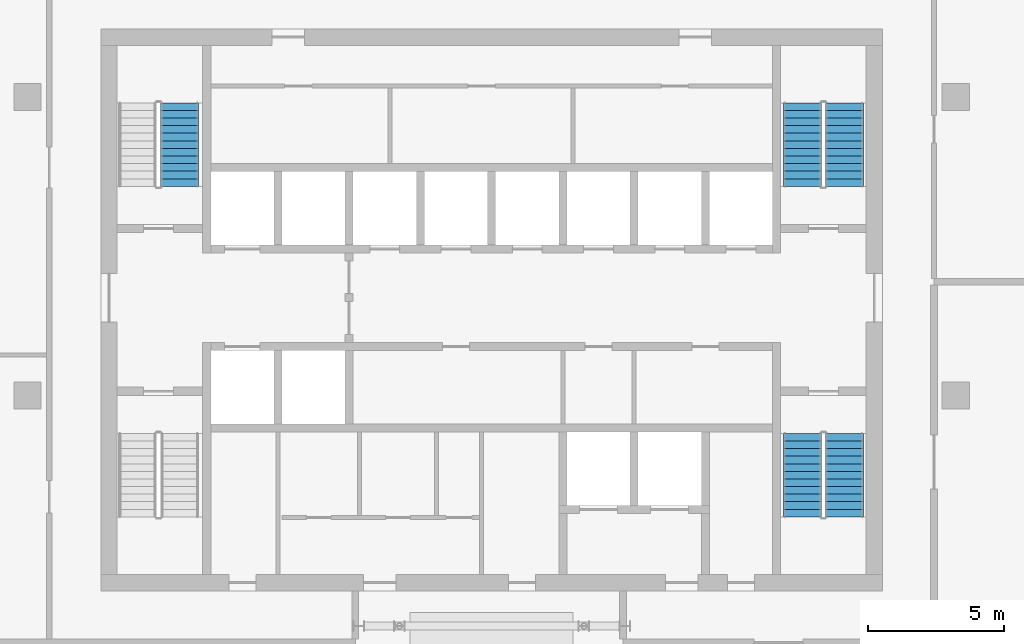
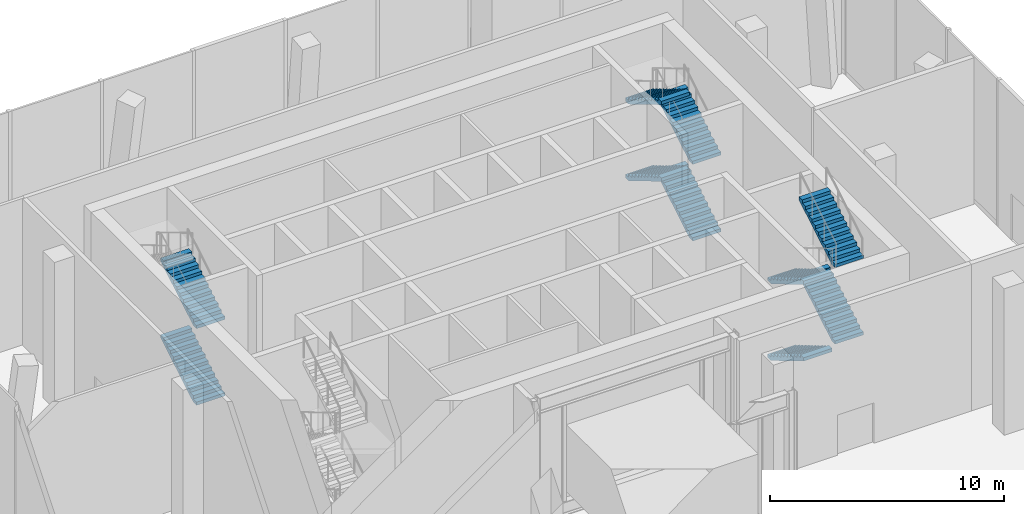
# One storey, part 9 of 13: 10 stair flights, 3 elements without a shape of their own.
"""IFC4 building model written with IfcOpenShell, lengths in metres."""

from ifc_helpers import new_model, si_unit, direction, frame, origin, place, context, subcontext, project, spatial, polyline, outline, extrude, material, type_object, element, aggregate, save


model = new_model("IFC4")

# Units and contexts
model_context = context("Model", 3, precision=1e-05, world=origin(), true_north=direction((0.0, 1.0)))
body_context = subcontext(model_context, "Body", "Model", "MODEL_VIEW")
ifc_project = project(units=[si_unit("LENGTHUNIT", "METRE"), si_unit("AREAUNIT", "SQUARE_METRE"), si_unit("VOLUMEUNIT", "CUBIC_METRE"), si_unit("PLANEANGLEUNIT", "RADIAN"), si_unit("MASSUNIT", "GRAM", prefix="KILO")], contexts=[model_context])

# Site, building, storey
site_placement = place(None, origin())
site = spatial("IfcSite", under=ifc_project, at=site_placement, CompositionType="ELEMENT")
building_placement = place(site_placement, origin())
building = spatial("IfcBuilding", under=site, at=building_placement, Name="Mopane Tessera Tower", CompositionType="ELEMENT")
storey_placement = place(building_placement, frame((0.0, 0.0, 337.39990234375)))
storey = spatial("IfcBuildingStorey", under=building, at=storey_placement, Name="L74", CompositionType="ELEMENT", Elevation=337.39990234375)

# Stair, stair flights
ifc_material_1 = material(Name="Concrete C50/60", Category="concrete")
stair_type = type_object("IfcStairType", Name="Escape stair 1400 mm, riser 167 mm", PredefinedType="HALF_TURN_STAIR", material=ifc_material_1)
stair_1_placement = place(storey_placement, origin())
stair_1 = element("IfcStair", 1, at=stair_1_placement, inside=storey, type_object=stair_type, Name="L74 Escape stair north-west", PredefinedType="HALF_TURN_STAIR")
ifc_material_2 = material(Name="Concrete C50/60", Category="concrete")
stair_flight_type = type_object("IfcStairFlightType", Name="Escape stair flight 1400 mm", PredefinedType="STRAIGHT", material=ifc_material_2)
stair_flight_1_placement = place(storey_placement, frame((-11.5, 7.699951171875, 0.0), z_axis=(0.0, 0.0, 1.0), x_axis=(0.0, 1.0, 0.0)))
stair_flight_1 = element("IfcStairFlight", 2, at=stair_flight_1_placement, type_object=stair_flight_type, Name="ST2 flight 1", NumberOfRisers=12, NumberOfTreads=11, PredefinedType="STRAIGHT", RiserHeight=0.166666667, TreadLength=0.28, context=body_context, shape_type="SweptSolid", body=[
    extrude(outline(polyline([(0.0, 0.0), (0.0, 0.166748046875), (0.280029296875, 0.166748046875), (0.280029296875, 0.333251953125), (0.56005859375, 0.333251953125), (0.56005859375, 0.5), (0.840087890625, 0.5), (0.840087890625, 0.666748046875), (1.1201171875, 0.666748046875), (1.1201171875, 0.833251953125), (1.39990234375, 0.833251953125), (1.39990234375, 1.0), (1.679931640625, 1.0), (1.679931640625, 1.166748046875), (1.9599609375, 1.166748046875), (1.9599609375, 1.333251953125), (2.239990234375, 1.333251953125), (2.239990234375, 1.5), (2.52001953125, 1.5), (2.52001953125, 1.666748046875), (2.800048828125, 1.666748046875), (2.800048828125, 1.833251953125), (3.080078125, 1.833251953125), (3.080078125, 2.0), (3.080078125, 1.658935546875), (0.29296875, 0.0), (0.0, 0.0)])), frame((0.0, 0.699951171875, 0.0), z_axis=(0.0, -1.0, 0.0), x_axis=(1.0, 0.0, 0.0)), (0.0, 0.0, 1.0), 1.39990234375),
])
stair_flight_2_placement = place(storey_placement, frame((-11.5, 7.699951171875, 4.0), z_axis=(0.0, 0.0, 1.0), x_axis=(0.0, 1.0, 0.0)))
stair_flight_2 = element("IfcStairFlight", 3, at=stair_flight_2_placement, type_object=stair_flight_type, Name="ST2 flight 3", NumberOfRisers=12, NumberOfTreads=11, PredefinedType="STRAIGHT", RiserHeight=0.166666667, TreadLength=0.28, context=body_context, shape_type="SweptSolid", body=[
    extrude(outline(polyline([(0.0, 0.0), (0.0, 0.166748046875), (0.280029296875, 0.166748046875), (0.280029296875, 0.333251953125), (0.56005859375, 0.333251953125), (0.56005859375, 0.5), (0.840087890625, 0.5), (0.840087890625, 0.666748046875), (1.1201171875, 0.666748046875), (1.1201171875, 0.833251953125), (1.39990234375, 0.833251953125), (1.39990234375, 1.0), (1.679931640625, 1.0), (1.679931640625, 1.166748046875), (1.9599609375, 1.166748046875), (1.9599609375, 1.333251953125), (2.239990234375, 1.333251953125), (2.239990234375, 1.5), (2.52001953125, 1.5), (2.52001953125, 1.666748046875), (2.800048828125, 1.666748046875), (2.800048828125, 1.833251953125), (3.080078125, 1.833251953125), (3.080078125, 2.0), (3.080078125, 1.658935546875), (0.29296875, 0.0), (0.0, 0.0)])), frame((0.0, 0.699951171875, 0.0), z_axis=(0.0, -1.0, 0.0), x_axis=(1.0, 0.0, 0.0)), (0.0, 0.0, 1.0), 1.39990234375),
])
aggregate(stair_1, [stair_flight_1, stair_flight_2])

stair_2_placement = place(storey_placement, origin())
stair_2 = element("IfcStair", 4, at=stair_2_placement, inside=storey, type_object=stair_type, Name="L74 Escape stair south-east", PredefinedType="HALF_TURN_STAIR")
stair_flight_3_placement = place(storey_placement, frame((11.449951171875, -1.39990234375, 0.0), z_axis=(0.0, 0.0, 1.0), x_axis=(0.0, -1.0, 0.0)))
stair_flight_3 = element("IfcStairFlight", 5, at=stair_flight_3_placement, type_object=stair_flight_type, Name="ST3 flight 1", NumberOfRisers=12, NumberOfTreads=11, PredefinedType="STRAIGHT", RiserHeight=0.166666667, TreadLength=0.28, context=body_context, shape_type="SweptSolid", body=[
    extrude(outline(polyline([(0.0, 0.0), (0.0, 0.166748046875), (0.280029296875, 0.166748046875), (0.280029296875, 0.333251953125), (0.56005859375, 0.333251953125), (0.56005859375, 0.5), (0.840087890625, 0.5), (0.840087890625, 0.666748046875), (1.1201171875, 0.666748046875), (1.1201171875, 0.833251953125), (1.39990234375, 0.833251953125), (1.39990234375, 1.0), (1.679931640625, 1.0), (1.679931640625, 1.166748046875), (1.9599609375, 1.166748046875), (1.9599609375, 1.333251953125), (2.239990234375, 1.333251953125), (2.239990234375, 1.5), (2.52001953125, 1.5), (2.52001953125, 1.666748046875), (2.800048828125, 1.666748046875), (2.800048828125, 1.833251953125), (3.080078125, 1.833251953125), (3.080078125, 2.0), (3.080078125, 1.658935546875), (0.29296875, 0.0), (0.0, 0.0)])), frame((0.0, 0.699951171875, 0.0), z_axis=(0.0, -1.0, 0.0), x_axis=(1.0, 0.0, 0.0)), (0.0, 0.0, 1.0), 1.39990234375),
])
stair_flight_4_placement = place(storey_placement, frame((13.0, -4.47998046875, 2.0), z_axis=(0.0, 0.0, 1.0), x_axis=(0.0, 1.0, 0.0)))
stair_flight_4 = element("IfcStairFlight", 6, at=stair_flight_4_placement, type_object=stair_flight_type, Name="ST3 flight 2", NumberOfRisers=12, NumberOfTreads=11, PredefinedType="STRAIGHT", RiserHeight=0.166666667, TreadLength=0.28, context=body_context, shape_type="SweptSolid", body=[
    extrude(outline(polyline([(0.0, 0.0), (0.0, 0.166748046875), (0.280029296875, 0.166748046875), (0.280029296875, 0.333251953125), (0.56005859375, 0.333251953125), (0.56005859375, 0.5), (0.840087890625, 0.5), (0.840087890625, 0.666748046875), (1.1201171875, 0.666748046875), (1.1201171875, 0.833251953125), (1.39990234375, 0.833251953125), (1.39990234375, 1.0), (1.679931640625, 1.0), (1.679931640625, 1.166748046875), (1.9599609375, 1.166748046875), (1.9599609375, 1.333251953125), (2.239990234375, 1.333251953125), (2.239990234375, 1.5), (2.52001953125, 1.5), (2.52001953125, 1.666748046875), (2.800048828125, 1.666748046875), (2.800048828125, 1.833251953125), (3.080078125, 1.833251953125), (3.080078125, 2.0), (3.080078125, 1.658935546875), (0.29296875, 0.0), (0.0, 0.0)])), frame((0.0, 0.699951171875, 0.0), z_axis=(0.0, -1.0, 0.0), x_axis=(1.0, 0.0, 0.0)), (0.0, 0.0, 1.0), 1.39990234375),
])
stair_flight_5_placement = place(storey_placement, frame((11.449951171875, -1.39990234375, 4.0), z_axis=(0.0, 0.0, 1.0), x_axis=(0.0, -1.0, 0.0)))
stair_flight_5 = element("IfcStairFlight", 7, at=stair_flight_5_placement, type_object=stair_flight_type, Name="ST3 flight 3", NumberOfRisers=12, NumberOfTreads=11, PredefinedType="STRAIGHT", RiserHeight=0.166666667, TreadLength=0.28, context=body_context, shape_type="SweptSolid", body=[
    extrude(outline(polyline([(0.0, 0.0), (0.0, 0.166748046875), (0.280029296875, 0.166748046875), (0.280029296875, 0.333251953125), (0.56005859375, 0.333251953125), (0.56005859375, 0.5), (0.840087890625, 0.5), (0.840087890625, 0.666748046875), (1.1201171875, 0.666748046875), (1.1201171875, 0.833251953125), (1.39990234375, 0.833251953125), (1.39990234375, 1.0), (1.679931640625, 1.0), (1.679931640625, 1.166748046875), (1.9599609375, 1.166748046875), (1.9599609375, 1.333251953125), (2.239990234375, 1.333251953125), (2.239990234375, 1.5), (2.52001953125, 1.5), (2.52001953125, 1.666748046875), (2.800048828125, 1.666748046875), (2.800048828125, 1.833251953125), (3.080078125, 1.833251953125), (3.080078125, 2.0), (3.080078125, 1.658935546875), (0.29296875, 0.0), (0.0, 0.0)])), frame((0.0, 0.699951171875, 0.0), z_axis=(0.0, -1.0, 0.0), x_axis=(1.0, 0.0, 0.0)), (0.0, 0.0, 1.0), 1.39990234375),
])
stair_flight_6_placement = place(storey_placement, frame((13.0, -4.47998046875, 6.0), z_axis=(0.0, 0.0, 1.0), x_axis=(0.0, 1.0, 0.0)))
stair_flight_6 = element("IfcStairFlight", 8, at=stair_flight_6_placement, type_object=stair_flight_type, Name="ST3 flight 4", NumberOfRisers=12, NumberOfTreads=11, PredefinedType="STRAIGHT", RiserHeight=0.166666667, TreadLength=0.28, context=body_context, shape_type="SweptSolid", body=[
    extrude(outline(polyline([(0.0, 0.0), (0.0, 0.166748046875), (0.280029296875, 0.166748046875), (0.280029296875, 0.333251953125), (0.56005859375, 0.333251953125), (0.56005859375, 0.5), (0.840087890625, 0.5), (0.840087890625, 0.666748046875), (1.1201171875, 0.666748046875), (1.1201171875, 0.833251953125), (1.39990234375, 0.833251953125), (1.39990234375, 1.0), (1.679931640625, 1.0), (1.679931640625, 1.166748046875), (1.9599609375, 1.166748046875), (1.9599609375, 1.333251953125), (2.239990234375, 1.333251953125), (2.239990234375, 1.5), (2.52001953125, 1.5), (2.52001953125, 1.666748046875), (2.800048828125, 1.666748046875), (2.800048828125, 1.833251953125), (3.080078125, 1.833251953125), (3.080078125, 2.0), (3.080078125, 1.658935546875), (0.29296875, 0.0), (0.0, 0.0)])), frame((0.0, 0.699951171875, 0.0), z_axis=(0.0, -1.0, 0.0), x_axis=(1.0, 0.0, 0.0)), (0.0, 0.0, 1.0), 1.39990234375),
])
aggregate(stair_2, [stair_flight_3, stair_flight_4, stair_flight_5, stair_flight_6])

stair_3_placement = place(storey_placement, origin())
stair_3 = element("IfcStair", 9, at=stair_3_placement, inside=storey, type_object=stair_type, Name="L74 Escape stair north-east", PredefinedType="HALF_TURN_STAIR")
stair_flight_7_placement = place(storey_placement, frame((13.0, 7.699951171875, 0.0), z_axis=(0.0, 0.0, 1.0), x_axis=(0.0, 1.0, 0.0)))
stair_flight_7 = element("IfcStairFlight", 10, at=stair_flight_7_placement, type_object=stair_flight_type, Name="ST4 flight 1", NumberOfRisers=12, NumberOfTreads=11, PredefinedType="STRAIGHT", RiserHeight=0.166666667, TreadLength=0.28, context=body_context, shape_type="SweptSolid", body=[
    extrude(outline(polyline([(0.0, 0.0), (0.0, 0.166748046875), (0.280029296875, 0.166748046875), (0.280029296875, 0.333251953125), (0.56005859375, 0.333251953125), (0.56005859375, 0.5), (0.840087890625, 0.5), (0.840087890625, 0.666748046875), (1.1201171875, 0.666748046875), (1.1201171875, 0.833251953125), (1.39990234375, 0.833251953125), (1.39990234375, 1.0), (1.679931640625, 1.0), (1.679931640625, 1.166748046875), (1.9599609375, 1.166748046875), (1.9599609375, 1.333251953125), (2.239990234375, 1.333251953125), (2.239990234375, 1.5), (2.52001953125, 1.5), (2.52001953125, 1.666748046875), (2.800048828125, 1.666748046875), (2.800048828125, 1.833251953125), (3.080078125, 1.833251953125), (3.080078125, 2.0), (3.080078125, 1.658935546875), (0.29296875, 0.0), (0.0, 0.0)])), frame((0.0, 0.699951171875, 0.0), z_axis=(0.0, -1.0, 0.0), x_axis=(1.0, 0.0, 0.0)), (0.0, 0.0, 1.0), 1.39990234375),
])
stair_flight_8_placement = place(storey_placement, frame((11.449951171875, 10.780029296875, 2.0), z_axis=(0.0, 0.0, 1.0), x_axis=(0.0, -1.0, 0.0)))
stair_flight_8 = element("IfcStairFlight", 11, at=stair_flight_8_placement, type_object=stair_flight_type, Name="ST4 flight 2", NumberOfRisers=12, NumberOfTreads=11, PredefinedType="STRAIGHT", RiserHeight=0.166666667, TreadLength=0.28, context=body_context, shape_type="SweptSolid", body=[
    extrude(outline(polyline([(0.0, 0.0), (0.0, 0.166748046875), (0.280029296875, 0.166748046875), (0.280029296875, 0.333251953125), (0.56005859375, 0.333251953125), (0.56005859375, 0.5), (0.840087890625, 0.5), (0.840087890625, 0.666748046875), (1.1201171875, 0.666748046875), (1.1201171875, 0.833251953125), (1.39990234375, 0.833251953125), (1.39990234375, 1.0), (1.679931640625, 1.0), (1.679931640625, 1.166748046875), (1.9599609375, 1.166748046875), (1.9599609375, 1.333251953125), (2.239990234375, 1.333251953125), (2.239990234375, 1.5), (2.52001953125, 1.5), (2.52001953125, 1.666748046875), (2.800048828125, 1.666748046875), (2.800048828125, 1.833251953125), (3.080078125, 1.833251953125), (3.080078125, 2.0), (3.080078125, 1.658935546875), (0.29296875, 0.0), (0.0, 0.0)])), frame((0.0, 0.699951171875, 0.0), z_axis=(0.0, -1.0, 0.0), x_axis=(1.0, 0.0, 0.0)), (0.0, 0.0, 1.0), 1.39990234375),
])
stair_flight_9_placement = place(storey_placement, frame((13.0, 7.699951171875, 4.0), z_axis=(0.0, 0.0, 1.0), x_axis=(0.0, 1.0, 0.0)))
stair_flight_9 = element("IfcStairFlight", 12, at=stair_flight_9_placement, type_object=stair_flight_type, Name="ST4 flight 3", NumberOfRisers=12, NumberOfTreads=11, PredefinedType="STRAIGHT", RiserHeight=0.166666667, TreadLength=0.28, context=body_context, shape_type="SweptSolid", body=[
    extrude(outline(polyline([(0.0, 0.0), (0.0, 0.166748046875), (0.280029296875, 0.166748046875), (0.280029296875, 0.333251953125), (0.56005859375, 0.333251953125), (0.56005859375, 0.5), (0.840087890625, 0.5), (0.840087890625, 0.666748046875), (1.1201171875, 0.666748046875), (1.1201171875, 0.833251953125), (1.39990234375, 0.833251953125), (1.39990234375, 1.0), (1.679931640625, 1.0), (1.679931640625, 1.166748046875), (1.9599609375, 1.166748046875), (1.9599609375, 1.333251953125), (2.239990234375, 1.333251953125), (2.239990234375, 1.5), (2.52001953125, 1.5), (2.52001953125, 1.666748046875), (2.800048828125, 1.666748046875), (2.800048828125, 1.833251953125), (3.080078125, 1.833251953125), (3.080078125, 2.0), (3.080078125, 1.658935546875), (0.29296875, 0.0), (0.0, 0.0)])), frame((0.0, 0.699951171875, 0.0), z_axis=(0.0, -1.0, 0.0), x_axis=(1.0, 0.0, 0.0)), (0.0, 0.0, 1.0), 1.39990234375),
])
stair_flight_10_placement = place(storey_placement, frame((11.449951171875, 10.780029296875, 6.0), z_axis=(0.0, 0.0, 1.0), x_axis=(0.0, -1.0, 0.0)))
stair_flight_10 = element("IfcStairFlight", 13, at=stair_flight_10_placement, type_object=stair_flight_type, Name="ST4 flight 4", NumberOfRisers=12, NumberOfTreads=11, PredefinedType="STRAIGHT", RiserHeight=0.166666667, TreadLength=0.28, context=body_context, shape_type="SweptSolid", body=[
    extrude(outline(polyline([(0.0, 0.0), (0.0, 0.166748046875), (0.280029296875, 0.166748046875), (0.280029296875, 0.333251953125), (0.56005859375, 0.333251953125), (0.56005859375, 0.5), (0.840087890625, 0.5), (0.840087890625, 0.666748046875), (1.1201171875, 0.666748046875), (1.1201171875, 0.833251953125), (1.39990234375, 0.833251953125), (1.39990234375, 1.0), (1.679931640625, 1.0), (1.679931640625, 1.166748046875), (1.9599609375, 1.166748046875), (1.9599609375, 1.333251953125), (2.239990234375, 1.333251953125), (2.239990234375, 1.5), (2.52001953125, 1.5), (2.52001953125, 1.666748046875), (2.800048828125, 1.666748046875), (2.800048828125, 1.833251953125), (3.080078125, 1.833251953125), (3.080078125, 2.0), (3.080078125, 1.658935546875), (0.29296875, 0.0), (0.0, 0.0)])), frame((0.0, 0.699951171875, 0.0), z_axis=(0.0, -1.0, 0.0), x_axis=(1.0, 0.0, 0.0)), (0.0, 0.0, 1.0), 1.39990234375),
])
aggregate(stair_3, [stair_flight_7, stair_flight_8, stair_flight_9, stair_flight_10])

save(model, "model.ifc")
